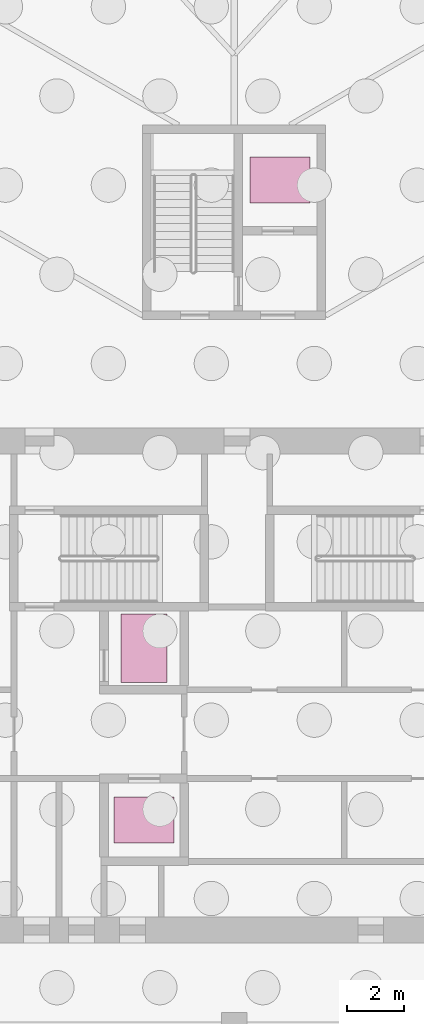
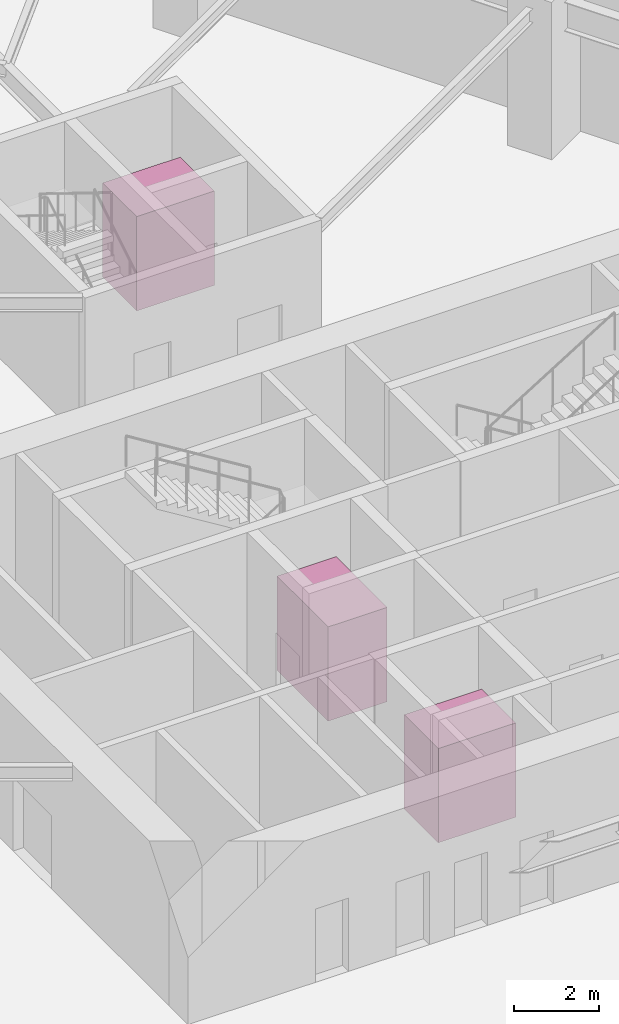
# One storey, part 8 of 8: 3 transport elements.
"""IFC4 building model written with IfcOpenShell, lengths in metres."""

from ifc_helpers import new_model, si_unit, direction, frame, origin, origin_2d, place, context, subcontext, project, spatial, rectangle, extrude, material, type_object, element, save


model = new_model("IFC4")

# Units and contexts
model_context = context("Model", 3, precision=1e-05, world=origin(), true_north=direction((0.0, 1.0)))
body_context = subcontext(model_context, "Body", "Model", "MODEL_VIEW")
ifc_project = project(units=[si_unit("LENGTHUNIT", "METRE"), si_unit("AREAUNIT", "SQUARE_METRE"), si_unit("VOLUMEUNIT", "CUBIC_METRE"), si_unit("PLANEANGLEUNIT", "RADIAN"), si_unit("MASSUNIT", "GRAM", prefix="KILO")], contexts=[model_context])

# Site, building, storey
site_placement = place(None, origin())
site = spatial("IfcSite", under=ifc_project, at=site_placement, CompositionType="ELEMENT")
building_placement = place(site_placement, origin())
building = spatial("IfcBuilding", under=site, at=building_placement, Name="Firuza Gate Tower and Library", CompositionType="ELEMENT")
storey_placement = place(building_placement, frame((0.0, 0.0, -14.0)))
storey = spatial("IfcBuildingStorey", under=building, at=storey_placement, Name="B3", CompositionType="ELEMENT", Elevation=-14.0)

# Transport elements
ifc_material_1 = material(Name="Stainless steel and glass", Category="steel")
transport_element_type_1 = type_object("IfcTransportElementType", Name="Firefighting lift car 1600x2400", PredefinedType="ELEVATOR", material=ifc_material_1)
transport_element_1_placement = place(storey_placement, frame((71.85009765625, 76.300048828125, 0.0), z_axis=(0.0, 0.0, 1.0), x_axis=(1.0, 0.0, 0.0)))
element("IfcTransportElement", 1, at=transport_element_1_placement, inside=storey, type_object=transport_element_type_1, Name="FIREFIGHTING LIFT FF2", PredefinedType="ELEVATOR", context=body_context, shape_type="SweptSolid", body=[
    extrude(rectangle(XDim=1.60009765625, YDim=2.39990234375, at=origin_2d()), origin(), (0.0, 0.0, 1.0), 2.699951171875),
])
ifc_material_2 = material(Name="Stainless steel and glass", Category="steel")
transport_element_type_2 = type_object("IfcTransportElementType", Name="Firefighting lift car 2100x1600", PredefinedType="ELEVATOR", material=ifc_material_2)
transport_element_2_placement = place(storey_placement, frame((71.85009765625, 70.300048828125, 0.0), z_axis=(0.0, 0.0, 1.0), x_axis=(1.0, 0.0, 0.0)))
element("IfcTransportElement", 2, at=transport_element_2_placement, inside=storey, type_object=transport_element_type_2, Name="FIREFIGHTING LIFT FF1", PredefinedType="ELEVATOR", context=body_context, shape_type="SweptSolid", body=[
    extrude(rectangle(XDim=2.10009765625, YDim=1.60009765625, at=origin_2d()), origin(), (0.0, 0.0, 1.0), 2.699951171875),
])
ifc_material_3 = material(Name="Stainless steel and glass", Category="steel")
transport_element_type_3 = type_object("IfcTransportElementType", Name="Service lift car 2100x1600", PredefinedType="ELEVATOR", material=ifc_material_3)
transport_element_3_placement = place(storey_placement, frame((76.60009765625, 92.675048828125, 0.0), z_axis=(0.0, 0.0, 1.0), x_axis=(1.0, 0.0, 0.0)))
element("IfcTransportElement", 3, at=transport_element_3_placement, inside=storey, type_object=transport_element_type_3, Name="Service lift SV1", PredefinedType="ELEVATOR", context=body_context, shape_type="SweptSolid", body=[
    extrude(rectangle(XDim=2.10009765625, YDim=1.60009765625, at=origin_2d()), origin(), (0.0, 0.0, 1.0), 2.699951171875),
])

save(model, "model.ifc")
